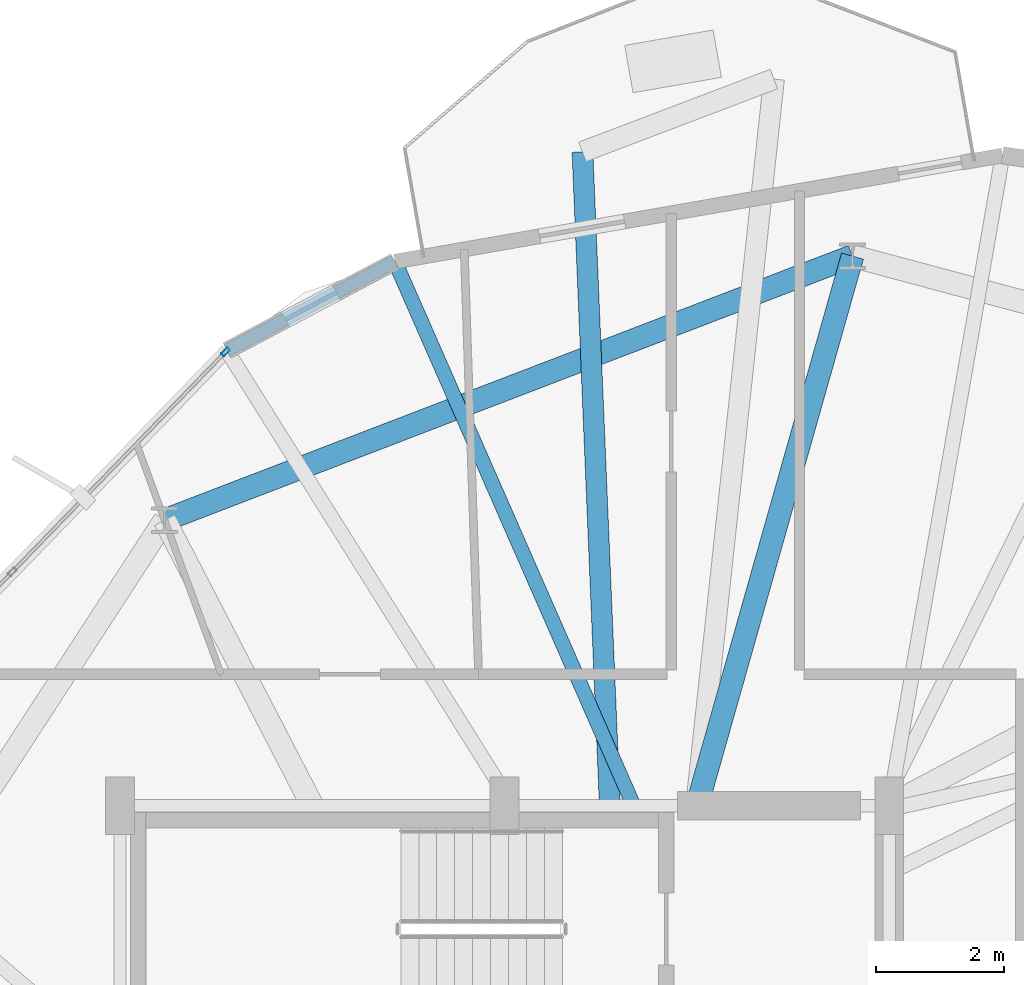
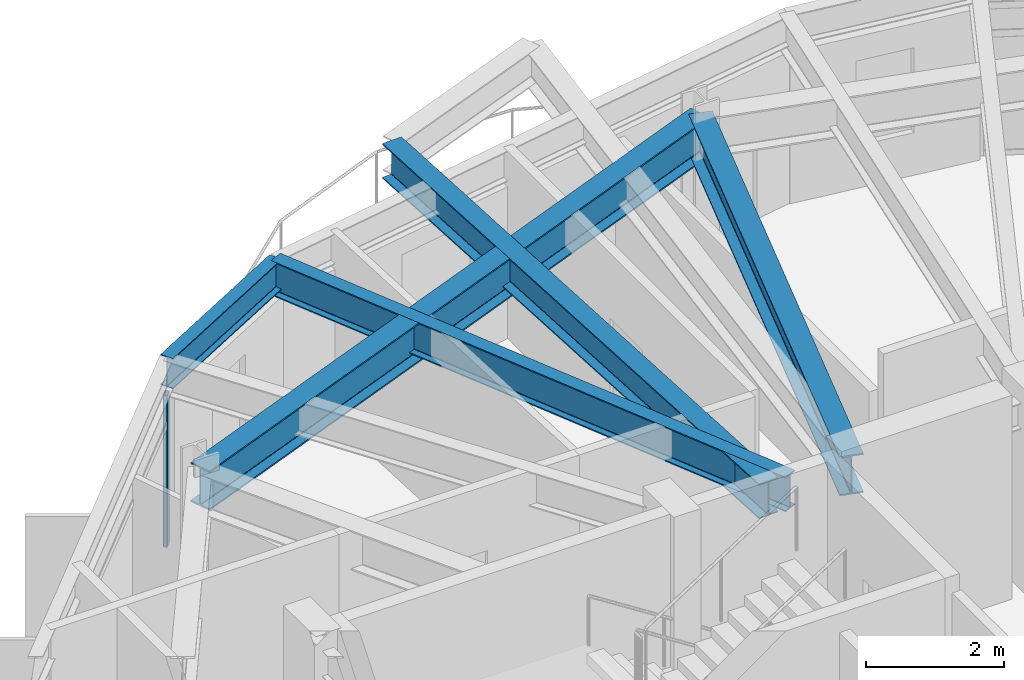
# One storey, part 17 of 28: 5 beams, 1 member, 1 element without a shape of its own.
"""IFC4 building model written with IfcOpenShell, lengths in metres."""

from ifc_helpers import new_model, si_unit, direction, frame, origin, origin_2d, place, context, subcontext, project, spatial, hollow_rectangle, i_section, extrude, material, layer, layer_set, material_profile, profile_set, type_object, element, aggregate, save


model = new_model("IFC4")

# Units and contexts
model_context = context("Model", 3, precision=1e-05, world=origin(), true_north=direction((0.0, 1.0)))
body_context = subcontext(model_context, "Body", "Model", "MODEL_VIEW")
ifc_project = project(units=[si_unit("LENGTHUNIT", "METRE"), si_unit("AREAUNIT", "SQUARE_METRE"), si_unit("VOLUMEUNIT", "CUBIC_METRE"), si_unit("PLANEANGLEUNIT", "RADIAN"), si_unit("MASSUNIT", "GRAM", prefix="KILO")], contexts=[model_context])

# Site, building, storey
site_placement = place(None, origin())
site = spatial("IfcSite", under=ifc_project, at=site_placement, CompositionType="ELEMENT")
building_placement = place(site_placement, origin())
building = spatial("IfcBuilding", under=site, at=building_placement, Name="Soratama Intermodal Tower", CompositionType="ELEMENT")
storey_placement = place(building_placement, frame((0.0, 0.0, 201.39990234375)))
storey = spatial("IfcBuildingStorey", under=building, at=storey_placement, Name="L50", CompositionType="ELEMENT", Elevation=201.39990234375)

# Beams
ifc_material_1 = material(Name="Structural steel ASTM A992 Grade 50", Category="steel")
ifc_material_profile_1 = material_profile(ifc_material_1, i_section(OverallWidth=0.324951171875, OverallDepth=0.615966796875, WebThickness=0.013916015625, FlangeThickness=0.021484375, FilletRadius=0.013916015625, at=origin_2d()), Name="W24X117")
ifc_profile_set_1 = profile_set([ifc_material_profile_1], Name="Structural steel ASTM A992 Grade 50")
beam_type_1 = type_object("IfcBeamType", Name="BM-CANT-W24X117", PredefinedType="BEAM", material=ifc_profile_set_1)
beam_1_placement = place(storey_placement, frame((40.239013671875, 35.0400390625, 2.9921875), z_axis=(-0.04179530274, 0.999126194566, 0.0), x_axis=(-0.999126194566, -0.04179530274, 0.0)))
element("IfcBeam", 1, at=beam_1_placement, inside=storey, type_object=beam_type_1, Name="BM-L50-CANT-2-2", PredefinedType="BEAM", context=body_context, shape_type="SweptSolid", body=[
    extrude(i_section(OverallWidth=0.324951171875, OverallDepth=0.615966796875, WebThickness=0.013916015625, FlangeThickness=0.021484375, FilletRadius=0.013916015625, at=origin_2d()), origin(), (0.0, 0.0, 1.0), 10.169677734375),
])
ifc_material_2 = material(Name="Structural steel ASTM A992 Grade 50", Category="steel")
ifc_material_profile_2 = material_profile(ifc_material_2, i_section(OverallWidth=0.35498046875, OverallDepth=0.695068359375, WebThickness=0.015380859375, FlangeThickness=0.02490234375, FilletRadius=0.01611328125, at=origin_2d()), Name="W27X146")
ifc_profile_set_2 = profile_set([ifc_material_profile_2], Name="Structural steel ASTM A992 Grade 50")
beam_type_2 = type_object("IfcBeamType", Name="BM-RING-W27X146", PredefinedType="BEAM", material=ifc_profile_set_2)
beam_2_placement = place(storey_placement, frame((44.027099609375, 43.574951171875, 2.95263671875), z_axis=(-0.933575304305, -0.358381293026, 0.0), x_axis=(0.358381293026, -0.933575304305, 0.0)))
element("IfcBeam", 2, at=beam_2_placement, inside=storey, type_object=beam_type_2, Name="BM-L50-RING-03", PredefinedType="BEAM", context=body_context, shape_type="SweptSolid", body=[
    extrude(i_section(OverallWidth=0.35498046875, OverallDepth=0.695068359375, WebThickness=0.015380859375, FlangeThickness=0.02490234375, FilletRadius=0.01611328125, at=origin_2d()), origin(), (0.0, 0.0, 1.0), 11.495849609375),
])
beam_3_placement = place(storey_placement, frame((41.60009765625, 35.0, 2.95263671875), z_axis=(0.272335865412, 0.96220225338, 0.0), x_axis=(-0.96220225338, 0.272335865412, 0.0)))
element("IfcBeam", 3, at=beam_3_placement, inside=storey, type_object=beam_type_2, Name="BM-L50-RAD-03", PredefinedType="BEAM", context=body_context, shape_type="SweptSolid", body=[
    extrude(i_section(OverallWidth=0.35498046875, OverallDepth=0.695068359375, WebThickness=0.015380859375, FlangeThickness=0.02490234375, FilletRadius=0.01611328125, at=origin_2d()), origin(), (0.0, 0.0, 1.0), 8.911865234375),
])
ifc_material_3 = material(Name="Structural steel ASTM A992 Grade 50", Category="steel")
ifc_material_profile_3 = material_profile(ifc_material_3, i_section(OverallWidth=0.2099609375, OverallDepth=0.537109375, WebThickness=0.010986328125, FlangeThickness=0.017333984375, FilletRadius=0.012939453125, at=origin_2d()), Name="W21X68")
ifc_profile_set_3 = profile_set([ifc_material_profile_3], Name="Structural steel ASTM A992 Grade 50")
beam_type_3 = type_object("IfcBeamType", Name="BM-SPN-W21X68", PredefinedType="SPANDREL", material=ifc_profile_set_3)
beam_4_placement = place(storey_placement, frame((36.887939453125, 43.490966796875, 3.031494140625), z_axis=(-0.88366378986, -0.468122106389, 0.0), x_axis=(0.468122106389, -0.88366378986, 0.0)))
element("IfcBeam", 4, at=beam_4_placement, inside=storey, type_object=beam_type_3, Name="BS-L50-CRN02", PredefinedType="SPANDREL", context=body_context, shape_type="SweptSolid", body=[
    extrude(i_section(OverallWidth=0.2099609375, OverallDepth=0.537109375, WebThickness=0.010986328125, FlangeThickness=0.017333984375, FilletRadius=0.012939453125, at=origin_2d()), origin(), (0.0, 0.0, 1.0), 2.967041015625),
])
ifc_material_4 = material(Name="Structural steel ASTM A992 Grade 50", Category="steel")
ifc_material_profile_4 = material_profile(ifc_material_4, i_section(OverallWidth=0.22900390625, OverallDepth=0.612060546875, WebThickness=0.011962890625, FlangeThickness=0.01953125, FilletRadius=0.012939453125, at=origin_2d()), Name="W24X84")
ifc_profile_set_4 = profile_set([ifc_material_profile_4], Name="Structural steel ASTM A992 Grade 50")
beam_type_4 = type_object("IfcBeamType", Name="BM-TIE-W24X84", PredefinedType="BEAM", material=ifc_profile_set_4)
beam_5_placement = place(storey_placement, frame((40.596923828125, 35.037109375, 2.994140625), z_axis=(-0.401766163354, 0.915742294526, 0.0), x_axis=(-0.915742294526, -0.401766163354, 0.0)))
element("IfcBeam", 5, at=beam_5_placement, inside=storey, type_object=beam_type_4, Name="BM-L50-TIE1-02", PredefinedType="BEAM", context=body_context, shape_type="SweptSolid", body=[
    extrude(i_section(OverallWidth=0.22900390625, OverallDepth=0.612060546875, WebThickness=0.011962890625, FlangeThickness=0.01953125, FilletRadius=0.012939453125, at=origin_2d()), origin(), (0.0, 0.0, 1.0), 9.231689453125),
])

# Curtain wall, member
ifc_material_5 = material(Name="Double-glazed aluminium curtain wall", Category="aluminium")
ifc_layer = layer(ifc_material_5, 0.159912109375)
ifc_layer_set = layer_set([ifc_layer], Name="Double-glazed aluminium curtain wall")
curtain_wall_type = type_object("IfcCurtainWallType", Name="CW-SYS-5", PredefinedType="NOTDEFINED", material=ifc_layer_set)
curtain_wall_placement = place(storey_placement, origin())
curtain_wall = element("IfcCurtainWall", 6, at=curtain_wall_placement, inside=storey, type_object=curtain_wall_type, Name="L50 Faceted Curtain Wall F03", PredefinedType="NOTDEFINED")
ifc_material_6 = material(Name="Anodised aluminium AA 6063-T6", Category="aluminium")
ifc_material_profile_5 = material_profile(ifc_material_6, hollow_rectangle(XDim=0.06494140625, YDim=0.139892578125, WallThickness=0.0048828125, InnerFilletRadius=0.0048828125, OuterFilletRadius=0.010009765625, at=origin_2d()), Name="CWM140X65X5")
ifc_profile_set_5 = profile_set([ifc_material_profile_5], Name="Anodised aluminium AA 6063-T6")
member_type = type_object("IfcMemberType", Name="MT-CWM-5", PredefinedType="MULLION", material=ifc_profile_set_5)
member_placement = place(storey_placement, frame((34.24560546875, 42.0810546875, 0.0), z_axis=(0.0, 0.0, 1.0), x_axis=(0.718126949297, -0.695912124261, 0.0)))
member = element("IfcMember", 7, at=member_placement, type_object=member_type, Name="CW-5 mullion 1", PredefinedType="MULLION", context=body_context, shape_type="SweptSolid", body=[
    extrude(hollow_rectangle(XDim=0.06494140625, YDim=0.139892578125, WallThickness=0.0048828125, InnerFilletRadius=0.0048828125, OuterFilletRadius=0.010009765625, at=origin_2d()), origin(), (0.0, 0.0, 1.0), 2.67919921875),
])
aggregate(curtain_wall, [member])

save(model, "model.ifc")
